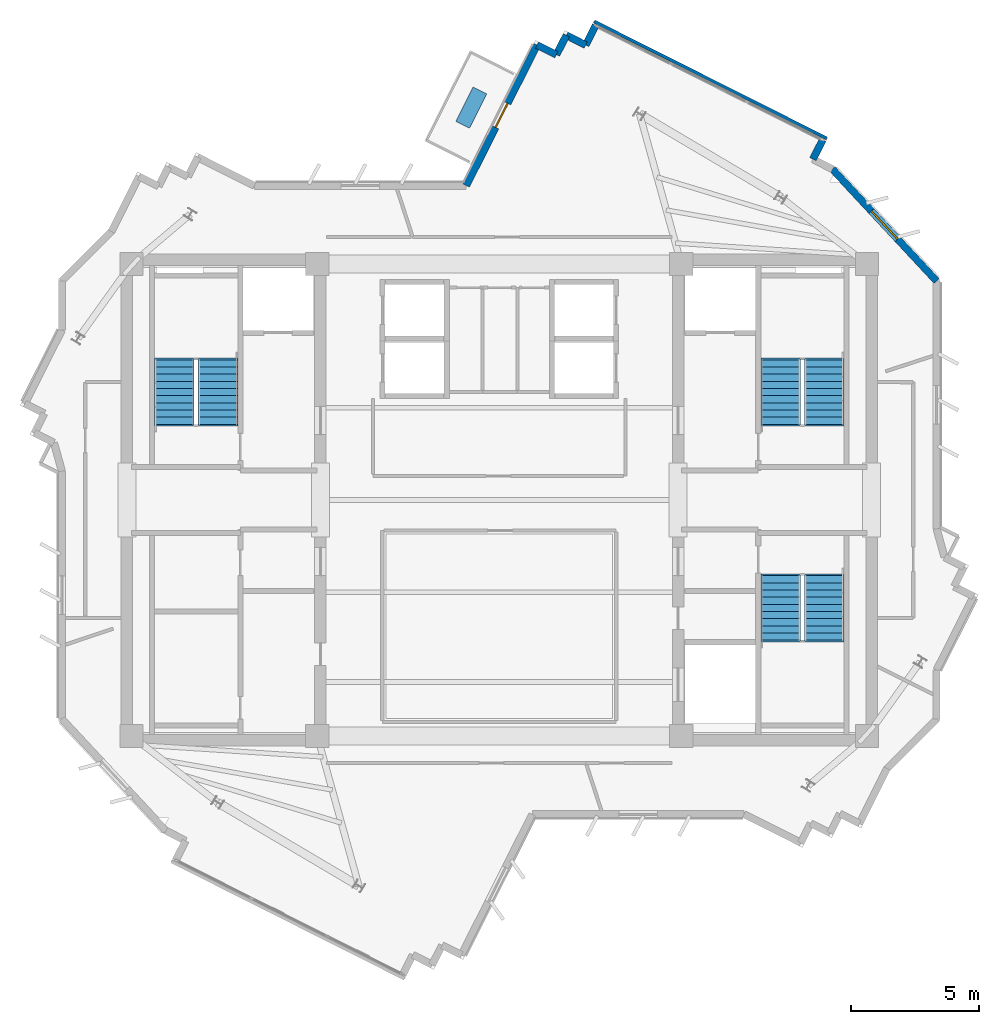
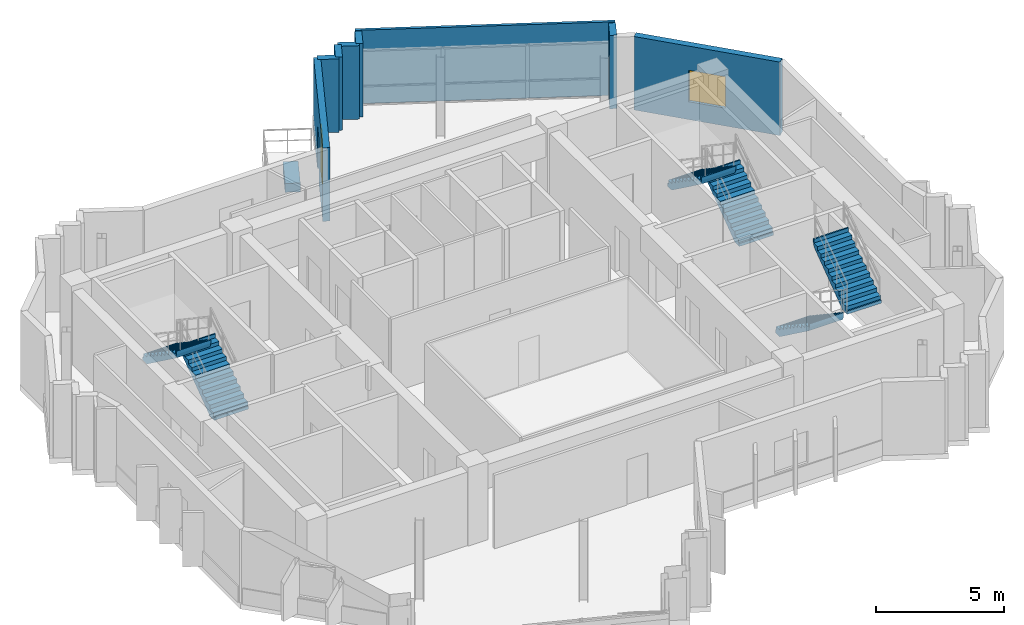
# One storey, part 9 of 11: 8 walls, 6 stair flights, 1 discrete accessory, 1 door, 1 window, 2 openings, 3 elements without a shape of their own.
"""IFC4 building model written with IfcOpenShell, lengths in metres."""

from ifc_helpers import new_model, si_unit, direction, frame, frame_2d, origin, origin_2d, place, context, subcontext, project, spatial, polyline, rectangle, outline, extrude, source, transform, mapped, material, layer, layer_set, type_object, element, fill, aggregate, save


model = new_model("IFC4")

# Units and contexts
model_context = context("Model", 3, precision=1e-05, world=origin(), true_north=direction((0.0, 1.0)))
body_context = subcontext(model_context, "Body", "Model", "MODEL_VIEW")
ifc_project = project(units=[si_unit("LENGTHUNIT", "METRE"), si_unit("AREAUNIT", "SQUARE_METRE"), si_unit("VOLUMEUNIT", "CUBIC_METRE"), si_unit("PLANEANGLEUNIT", "RADIAN"), si_unit("MASSUNIT", "GRAM", prefix="KILO")], contexts=[model_context])

# Site, building, storey
site_placement = place(None, origin())
site = spatial("IfcSite", under=ifc_project, at=site_placement, CompositionType="ELEMENT")
building_placement = place(site_placement, origin())
building = spatial("IfcBuilding", under=site, at=building_placement, Name="Zahravan Cultural Tower", CompositionType="ELEMENT")
storey_placement = place(building_placement, frame((0.0, 0.0, 353.550048828125)))
storey = spatial("IfcBuildingStorey", under=building, at=storey_placement, Name="L86", CompositionType="ELEMENT", Elevation=353.550048828125)

# Wall, opening, door
ifc_material_1 = material(Name="Precast concrete C40/50", Category="concrete")
ifc_layer_1 = layer(ifc_material_1, 0.280029296875)
ifc_layer_set_1 = layer_set([ifc_layer_1], Name="Precast concrete C40/50")
wall_type_1 = type_object("IfcWallType", Name="EW-TC-280", PredefinedType="SOLIDWALL", material=ifc_layer_set_1)
wall_1_placement = place(storey_placement, frame((34.711181640625, 39.260009765625, 0.0), z_axis=(0.0, 0.0, 1.0), x_axis=(0.449325511899, 0.893368112458, 0.0)))
wall_1 = element("IfcWall", 1, at=wall_1_placement, inside=storey, type_object=wall_type_1, Name="L86 Exterior Masonry Frame Wall 01", PredefinedType="SOLIDWALL", context=body_context, shape_type="SweptSolid", body=[
    extrude(rectangle(XDim=6.146484375, YDim=0.280029296875, at=frame_2d((3.0732421875, 0.0))), origin(), (0.0, 0.0, 1.0), 3.5),
])
opening_1_placement = place(wall_1_placement, frame((2.548095703125, 0.0, 0.0)))
opening_1 = element("IfcOpeningElement", 2, at=opening_1_placement, cuts=wall_1, Name="Opening D-L86-TR-NE", PredefinedType="OPENING", context=body_context, shape_type="SweptSolid", body=[
    extrude(rectangle(XDim=1.050048828125, YDim=2.14990234375, at=frame_2d((0.52490234375, 1.074951171875))), frame((0.0, 0.14990234375, 0.0), z_axis=(0.0, -1.0, 0.0), x_axis=(1.0, 0.0, 0.0)), (0.0, 0.0, 1.0), 0.300048828125),
])
ifc_material_2 = material(Name="Anodised bronze-aluminium mullion", Category="aluminium")
door_type = type_object("IfcDoorType", Name="DR-TERR-1050", OperationType="NOTDEFINED", PredefinedType="DOOR", material=ifc_material_2)
shared_shape_1 = source(origin(), body_context, "Body", "SweptSolid", [
    extrude(rectangle(XDim=1.050048828125, YDim=2.14990234375, at=frame_2d((0.52490234375, 1.074951171875))), frame((0.0, 0.02490234375, 0.0), z_axis=(0.0, -1.0, 0.0), x_axis=(1.0, 0.0, 0.0)), (0.0, 0.0, 1.0), 0.050048828125),
])
door_placement = place(opening_1_placement, origin())
door = element("IfcDoor", 3, at=door_placement, inside=storey, type_object=door_type, Name="L86 Terrace Access Door NE", OperationType="SINGLE_SWING_LEFT", OverallHeight=2.14990234375, OverallWidth=1.050048828125, PredefinedType="DOOR", context=body_context, shape_type="MappedRepresentation", body=[
    mapped(shared_shape_1, transform((0.0, 0.0, 0.0), x_axis=(1.0, 0.0, 0.0), y_axis=(0.0, 1.0, 0.0), z_axis=(0.0, 0.0, 1.0), scale=1.0)),
])
fill(opening_1, door)

# Wall, opening, window
wall_2_placement = place(storey_placement, frame((48.9951171875, 39.9072265625, 0.0), z_axis=(0.0, 0.0, 1.0), x_axis=(0.681486568047, -0.731830620821, 0.0)))
wall_2 = element("IfcWall", 4, at=wall_2_placement, inside=storey, type_object=wall_type_1, Name="L86 Exterior Masonry Frame Wall 08", PredefinedType="SOLIDWALL", context=body_context, shape_type="SweptSolid", body=[
    extrude(rectangle(XDim=5.96484375, YDim=0.280029296875, at=frame_2d((2.982421875, 0.0))), origin(), (0.0, 0.0, 1.0), 3.5),
])
opening_2_placement = place(wall_2_placement, frame((2.23193359375, 0.0, 0.85009765625)))
opening_2 = element("IfcOpeningElement", 5, at=opening_2_placement, cuts=wall_2, Name="Opening WN-03", PredefinedType="OPENING", context=body_context, shape_type="SweptSolid", body=[
    extrude(rectangle(XDim=1.5, YDim=1.5, at=frame_2d((0.75, 0.75))), frame((0.0, 0.14990234375, 0.0), z_axis=(0.0, -1.0, 0.0), x_axis=(1.0, 0.0, 0.0)), (0.0, 0.0, 1.0), 0.300048828125),
])
ifc_material_3 = material(Name="Low-E solar-control double glazing", Category="glass")
window_type = type_object("IfcWindowType", Name="WN-REC-1500X1500", PartitioningType="SINGLE_PANEL", PredefinedType="WINDOW", material=ifc_material_3)
shared_shape_2 = source(origin(), body_context, "Body", "SweptSolid", [
    extrude(rectangle(XDim=1.5, YDim=1.5, at=frame_2d((0.75, 0.75))), frame((0.0, 0.030029296875, 0.0), z_axis=(0.0, -1.0, 0.0), x_axis=(1.0, 0.0, 0.0)), (0.0, 0.0, 1.0), 0.06005859375),
])
window_placement = place(opening_2_placement, origin())
window = element("IfcWindow", 6, at=window_placement, inside=storey, type_object=window_type, Name="L86 Recessed Solar Window 01", OverallHeight=1.5, OverallWidth=1.5, PartitioningType="SINGLE_PANEL", PredefinedType="WINDOW", context=body_context, shape_type="MappedRepresentation", body=[
    mapped(shared_shape_2, transform((0.0, 0.0, 0.0), x_axis=(1.0, 0.0, 0.0), y_axis=(0.0, 1.0, 0.0), z_axis=(0.0, 0.0, 1.0), scale=1.0)),
])
fill(opening_2, window)

# Walls
shared_shape_3 = source(origin(), body_context, "Body", "SweptSolid", [
    extrude(rectangle(XDim=0.85009765625, YDim=0.280029296875, at=frame_2d((0.425048828125, 0.0))), origin(), (0.0, 0.0, 1.0), 3.5),
])
for number, where, z_axis, x_axis, name in (
    (7, (37.472900390625, 44.7509765625, 0.0), (0.0, 0.0, 1.0), (0.893333346715, -0.449394627968, 0.0), "L86 Exterior Masonry Frame Wall 02"),
    (8, (38.232421875, 44.368896484375, 0.0), (0.0, 0.0, 1.0), (0.449165422653, 0.893448612452, 0.0), "L86 Exterior Masonry Frame Wall 03"),
    (9, (39.37353515625, 44.74658203125, 0.0), (0.0, 0.0, 1.0), (0.449509934066, 0.893275332233, 0.0), "L86 Exterior Masonry Frame Wall 05"),
):
    element("IfcWall", number, at=place(storey_placement, frame(where, z_axis=z_axis, x_axis=x_axis)), inside=storey, type_object=wall_type_1, Name=name, PredefinedType="SOLIDWALL", context=body_context, shape_type="MappedRepresentation", body=[
        mapped(shared_shape_3, transform((0.0, 0.0, 0.0), x_axis=(1.0, 0.0, 0.0), y_axis=(0.0, 1.0, 0.0), z_axis=(0.0, 0.0, 1.0), scale=1.0)),
    ])
shared_shape_4 = source(origin(), body_context, "Body", "SweptSolid", [
    extrude(rectangle(XDim=0.849853515625, YDim=0.280029296875, at=frame_2d((0.4248046875, 0.0))), origin(), (0.0, 0.0, 1.0), 3.5),
])
for number, where, z_axis, x_axis, name in (
    (10, (38.6142578125, 45.12841796875, 0.0), (0.0, 0.0, 1.0), (0.89339064965, -0.449280699695, 0.0), "L86 Exterior Masonry Frame Wall 04"),
    (11, (48.61767578125, 41.048583984375, 0.0), (0.0, 0.0, 1.0), (-0.449280699695, -0.89339064965, 0.0), "L86 Exterior Masonry Frame Wall 06"),
):
    element("IfcWall", number, at=place(storey_placement, frame(where, z_axis=z_axis, x_axis=x_axis)), inside=storey, type_object=wall_type_1, Name=name, PredefinedType="SOLIDWALL", context=body_context, shape_type="MappedRepresentation", body=[
        mapped(shared_shape_4, transform((0.0, 0.0, 0.0), x_axis=(1.0, 0.0, 0.0), y_axis=(0.0, 1.0, 0.0), z_axis=(0.0, 0.0, 1.0), scale=1.0)),
    ])
ifc_material_4 = material(Name="Gypsum plasterboard partition")
ifc_layer_2 = layer(ifc_material_4, 0.125)
ifc_layer_set_2 = layer_set([ifc_layer_2], Name="Gypsum plasterboard partition")
wall_type_2 = type_object("IfcWallType", Name="W-PART-125", PredefinedType="PARTITIONING", material=ifc_layer_set_2)
shared_shape_5 = source(origin(), body_context, "Body", "SweptSolid", [
    extrude(rectangle(XDim=10.16015625, YDim=0.125, at=frame_2d((5.080078125, 0.0))), origin(), (0.0, 0.0, 1.0), 3.5),
])
wall_3_placement = place(storey_placement, frame((39.7021484375, 45.6669921875, 0.0), z_axis=(0.0, 0.0, 1.0), x_axis=(0.893367394955, -0.449326938465, 0.0)))
element("IfcWall", 12, at=wall_3_placement, inside=storey, type_object=wall_type_2, Name="L86 Interior Wall 076", PredefinedType="PARTITIONING", context=body_context, shape_type="MappedRepresentation", body=[
    mapped(shared_shape_5, transform((0.0, 0.0, 0.0), x_axis=(1.0, 0.0, 0.0), y_axis=(0.0, 1.0, 0.0), z_axis=(0.0, 0.0, 1.0), scale=1.0)),
])

# Stair, stair flights
ifc_material_5 = material(Name="Concrete C45/55", Category="concrete")
stair_type = type_object("IfcStairType", Name="STR-DL-1550-375", PredefinedType="HALF_TURN_STAIR", material=ifc_material_5)
stair_1_placement = place(storey_placement, origin())
stair_1 = element("IfcStair", 13, at=stair_1_placement, inside=storey, type_object=stair_type, Name="L86 West Core North Exit Stair ST-W1", PredefinedType="HALF_TURN_STAIR")
stair_flight_type = type_object("IfcStairFlightType", Name="FLG-DL-1550-375", PredefinedType="STRAIGHT", material=ifc_material_5)
stair_flight_1_placement = place(storey_placement, frame((25.02490234375, 29.949951171875, 0.0), z_axis=(0.0, 0.0, 1.0), x_axis=(0.0, 1.0, 0.0)))
stair_flight_1 = element("IfcStairFlight", 14, at=stair_flight_1_placement, type_object=stair_flight_type, Name="ST-W1 flight 1", NumberOfRisers=10, NumberOfTreads=9, PredefinedType="STRAIGHT", RiserHeight=0.1875, TreadLength=0.28, context=body_context, shape_type="SweptSolid", body=[
    extrude(outline(polyline([(-0.06494140625, -0.139892578125), (-0.06494140625, 0.0), (0.0, 0.0), (0.0, 0.1875), (0.280029296875, 0.1875), (0.280029296875, 0.375), (0.56005859375, 0.375), (0.56005859375, 0.5625), (0.840087890625, 0.5625), (0.840087890625, 0.75), (1.1201171875, 0.75), (1.1201171875, 0.9375), (1.39990234375, 0.9375), (1.39990234375, 1.125), (1.679931640625, 1.125), (1.679931640625, 1.3125), (1.9599609375, 1.3125), (1.9599609375, 1.5), (2.239990234375, 1.5), (2.239990234375, 1.6875), (2.52001953125, 1.6875), (2.52001953125, 1.875), (2.5849609375, 1.875), (2.5849609375, 1.72509765625), (2.52001953125, 1.507080078125), (0.26953125, -0.139892578125), (-0.06494140625, -0.139892578125)])), frame((0.0, 0.77490234375, 0.0), z_axis=(0.0, -1.0, 0.0), x_axis=(1.0, 0.0, 0.0)), (0.0, 0.0, 1.0), 1.550048828125),
])
stair_flight_2_placement = place(storey_placement, frame((23.324951171875, 32.469970703125, 1.875), z_axis=(0.0, 0.0, 1.0), x_axis=(0.0, -1.0, 0.0)))
stair_flight_2 = element("IfcStairFlight", 15, at=stair_flight_2_placement, type_object=stair_flight_type, Name="ST-W1 flight 2", NumberOfRisers=10, NumberOfTreads=9, PredefinedType="STRAIGHT", RiserHeight=0.1875, TreadLength=0.28, context=body_context, shape_type="SweptSolid", body=[
    extrude(outline(polyline([(-0.06494140625, -0.139892578125), (-0.06494140625, 0.0), (0.0, 0.0), (0.0, 0.1875), (0.280029296875, 0.1875), (0.280029296875, 0.375), (0.56005859375, 0.375), (0.56005859375, 0.5625), (0.840087890625, 0.5625), (0.840087890625, 0.75), (1.1201171875, 0.75), (1.1201171875, 0.9375), (1.39990234375, 0.9375), (1.39990234375, 1.125), (1.679931640625, 1.125), (1.679931640625, 1.3125), (1.9599609375, 1.3125), (1.9599609375, 1.5), (2.239990234375, 1.5), (2.239990234375, 1.6875), (2.52001953125, 1.6875), (2.52001953125, 1.875), (2.5849609375, 1.875), (2.5849609375, 1.72509765625), (2.52001953125, 1.507080078125), (0.26953125, -0.139892578125), (-0.06494140625, -0.139892578125)])), frame((0.0, 0.77490234375, 0.0), z_axis=(0.0, -1.0, 0.0), x_axis=(1.0, 0.0, 0.0)), (0.0, 0.0, 1.0), 1.550048828125),
])
aggregate(stair_1, [stair_flight_1, stair_flight_2])

stair_2_placement = place(storey_placement, origin())
stair_2 = element("IfcStair", 16, at=stair_2_placement, inside=storey, type_object=stair_type, Name="L86 East Core North Exit Stair ST-E1", PredefinedType="HALF_TURN_STAIR")
stair_flight_3_placement = place(storey_placement, frame((48.675048828125, 29.949951171875, 0.0), z_axis=(0.0, 0.0, 1.0), x_axis=(0.0, 1.0, 0.0)))
stair_flight_3 = element("IfcStairFlight", 17, at=stair_flight_3_placement, type_object=stair_flight_type, Name="ST-E1 flight 1", NumberOfRisers=10, NumberOfTreads=9, PredefinedType="STRAIGHT", RiserHeight=0.1875, TreadLength=0.28, context=body_context, shape_type="SweptSolid", body=[
    extrude(outline(polyline([(-0.06494140625, -0.139892578125), (-0.06494140625, 0.0), (0.0, 0.0), (0.0, 0.1875), (0.280029296875, 0.1875), (0.280029296875, 0.375), (0.56005859375, 0.375), (0.56005859375, 0.5625), (0.840087890625, 0.5625), (0.840087890625, 0.75), (1.1201171875, 0.75), (1.1201171875, 0.9375), (1.39990234375, 0.9375), (1.39990234375, 1.125), (1.679931640625, 1.125), (1.679931640625, 1.3125), (1.9599609375, 1.3125), (1.9599609375, 1.5), (2.239990234375, 1.5), (2.239990234375, 1.6875), (2.52001953125, 1.6875), (2.52001953125, 1.875), (2.5849609375, 1.875), (2.5849609375, 1.72509765625), (2.52001953125, 1.507080078125), (0.26953125, -0.139892578125), (-0.06494140625, -0.139892578125)])), frame((0.0, 0.77490234375, 0.0), z_axis=(0.0, -1.0, 0.0), x_axis=(1.0, 0.0, 0.0)), (0.0, 0.0, 1.0), 1.550048828125),
])
stair_flight_4_placement = place(storey_placement, frame((46.97509765625, 32.469970703125, 1.875), z_axis=(0.0, 0.0, 1.0), x_axis=(0.0, -1.0, 0.0)))
stair_flight_4 = element("IfcStairFlight", 18, at=stair_flight_4_placement, type_object=stair_flight_type, Name="ST-E1 flight 2", NumberOfRisers=10, NumberOfTreads=9, PredefinedType="STRAIGHT", RiserHeight=0.1875, TreadLength=0.28, context=body_context, shape_type="SweptSolid", body=[
    extrude(outline(polyline([(-0.06494140625, -0.139892578125), (-0.06494140625, 0.0), (0.0, 0.0), (0.0, 0.1875), (0.280029296875, 0.1875), (0.280029296875, 0.375), (0.56005859375, 0.375), (0.56005859375, 0.5625), (0.840087890625, 0.5625), (0.840087890625, 0.75), (1.1201171875, 0.75), (1.1201171875, 0.9375), (1.39990234375, 0.9375), (1.39990234375, 1.125), (1.679931640625, 1.125), (1.679931640625, 1.3125), (1.9599609375, 1.3125), (1.9599609375, 1.5), (2.239990234375, 1.5), (2.239990234375, 1.6875), (2.52001953125, 1.6875), (2.52001953125, 1.875), (2.5849609375, 1.875), (2.5849609375, 1.72509765625), (2.52001953125, 1.507080078125), (0.26953125, -0.139892578125), (-0.06494140625, -0.139892578125)])), frame((0.0, 0.77490234375, 0.0), z_axis=(0.0, -1.0, 0.0), x_axis=(1.0, 0.0, 0.0)), (0.0, 0.0, 1.0), 1.550048828125),
])
aggregate(stair_2, [stair_flight_3, stair_flight_4])

stair_3_placement = place(storey_placement, origin())
stair_3 = element("IfcStair", 19, at=stair_3_placement, inside=storey, type_object=stair_type, Name="L86 East Core South Exit Stair ST-E2", PredefinedType="HALF_TURN_STAIR")
stair_flight_5_placement = place(storey_placement, frame((46.97509765625, 24.050048828125, 0.0), z_axis=(0.0, 0.0, 1.0), x_axis=(0.0, -1.0, 0.0)))
stair_flight_5 = element("IfcStairFlight", 20, at=stair_flight_5_placement, type_object=stair_flight_type, Name="ST-E2 flight 1", NumberOfRisers=10, NumberOfTreads=9, PredefinedType="STRAIGHT", RiserHeight=0.1875, TreadLength=0.28, context=body_context, shape_type="SweptSolid", body=[
    extrude(outline(polyline([(-0.06494140625, -0.139892578125), (-0.06494140625, 0.0), (0.0, 0.0), (0.0, 0.1875), (0.280029296875, 0.1875), (0.280029296875, 0.375), (0.56005859375, 0.375), (0.56005859375, 0.5625), (0.840087890625, 0.5625), (0.840087890625, 0.75), (1.1201171875, 0.75), (1.1201171875, 0.9375), (1.39990234375, 0.9375), (1.39990234375, 1.125), (1.679931640625, 1.125), (1.679931640625, 1.3125), (1.9599609375, 1.3125), (1.9599609375, 1.5), (2.239990234375, 1.5), (2.239990234375, 1.6875), (2.52001953125, 1.6875), (2.52001953125, 1.875), (2.5849609375, 1.875), (2.5849609375, 1.72509765625), (2.52001953125, 1.507080078125), (0.26953125, -0.139892578125), (-0.06494140625, -0.139892578125)])), frame((0.0, 0.77490234375, 0.0), z_axis=(0.0, -1.0, 0.0), x_axis=(1.0, 0.0, 0.0)), (0.0, 0.0, 1.0), 1.550048828125),
])
stair_flight_6_placement = place(storey_placement, frame((48.675048828125, 21.530029296875, 1.875), z_axis=(0.0, 0.0, 1.0), x_axis=(0.0, 1.0, 0.0)))
stair_flight_6 = element("IfcStairFlight", 21, at=stair_flight_6_placement, type_object=stair_flight_type, Name="ST-E2 flight 2", NumberOfRisers=10, NumberOfTreads=9, PredefinedType="STRAIGHT", RiserHeight=0.1875, TreadLength=0.28, context=body_context, shape_type="SweptSolid", body=[
    extrude(outline(polyline([(-0.06494140625, -0.139892578125), (-0.06494140625, 0.0), (0.0, 0.0), (0.0, 0.1875), (0.280029296875, 0.1875), (0.280029296875, 0.375), (0.56005859375, 0.375), (0.56005859375, 0.5625), (0.840087890625, 0.5625), (0.840087890625, 0.75), (1.1201171875, 0.75), (1.1201171875, 0.9375), (1.39990234375, 0.9375), (1.39990234375, 1.125), (1.679931640625, 1.125), (1.679931640625, 1.3125), (1.9599609375, 1.3125), (1.9599609375, 1.5), (2.239990234375, 1.5), (2.239990234375, 1.6875), (2.52001953125, 1.6875), (2.52001953125, 1.875), (2.5849609375, 1.875), (2.5849609375, 1.72509765625), (2.52001953125, 1.507080078125), (0.26953125, -0.139892578125), (-0.06494140625, -0.139892578125)])), frame((0.0, 0.77490234375, 0.0), z_axis=(0.0, -1.0, 0.0), x_axis=(1.0, 0.0, 0.0)), (0.0, 0.0, 1.0), 1.550048828125),
])
aggregate(stair_3, [stair_flight_5, stair_flight_6])

# Discrete accessory
ifc_material_6 = material(Name="Planted soil and terracotta planter", Category="masonry")
discrete_accessory_type = type_object("IfcDiscreteAccessoryType", Name="ACC-PLANTER-TC", PredefinedType="USERDEFINED", material=ifc_material_6)
shared_shape_6 = source(origin(), body_context, "Body", "SweptSolid", [
    extrude(rectangle(XDim=1.5, YDim=0.60009765625, at=origin_2d()), origin(), (0.0, 0.0, 1.0), 0.419921875),
])
discrete_accessory_placement = place(storey_placement, frame((34.906982421875, 42.302978515625, 0.0), z_axis=(0.0, 0.0, 1.0), x_axis=(0.449318998616, 0.893371388328, 0.0)))
element("IfcDiscreteAccessory", 22, at=discrete_accessory_placement, inside=storey, type_object=discrete_accessory_type, Name="L86 Terracotta Sculpture Planter NE", ObjectType="PLANTER", PredefinedType="USERDEFINED", context=body_context, shape_type="MappedRepresentation", body=[
    mapped(shared_shape_6, transform((0.0, 0.0, 0.0), x_axis=(1.0, 0.0, 0.0), y_axis=(0.0, 1.0, 0.0), z_axis=(0.0, 0.0, 1.0), scale=1.0)),
])

save(model, "model.ifc")
